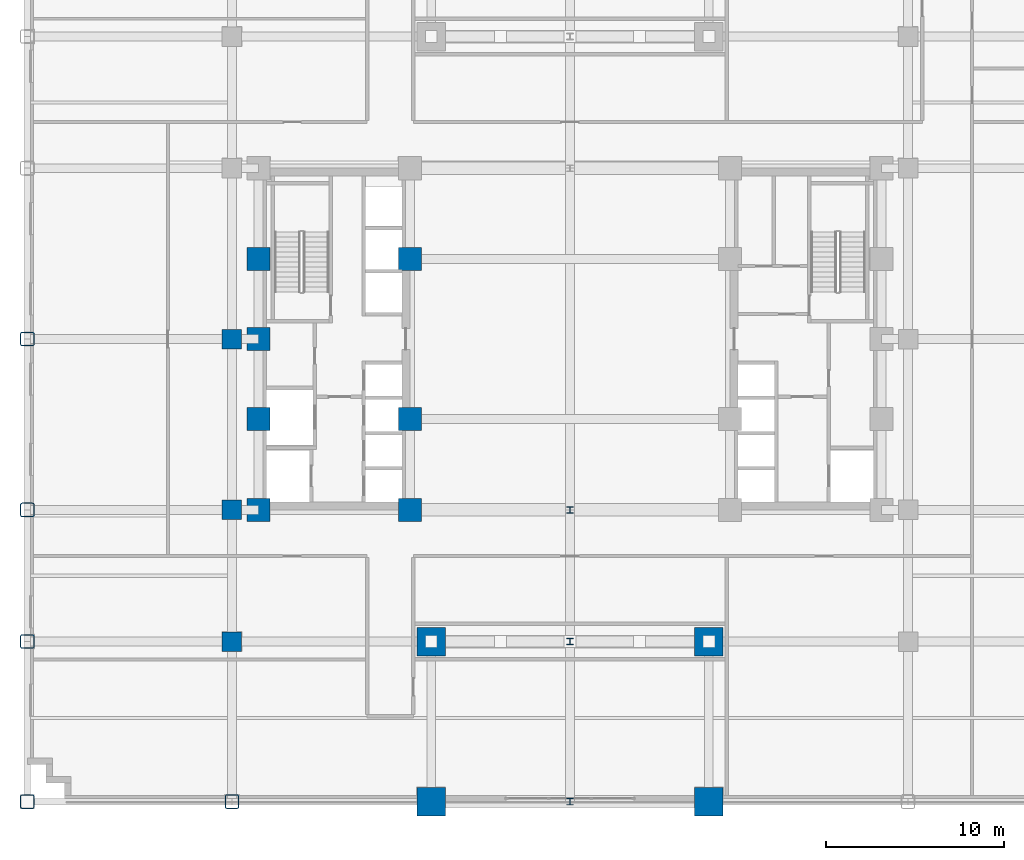
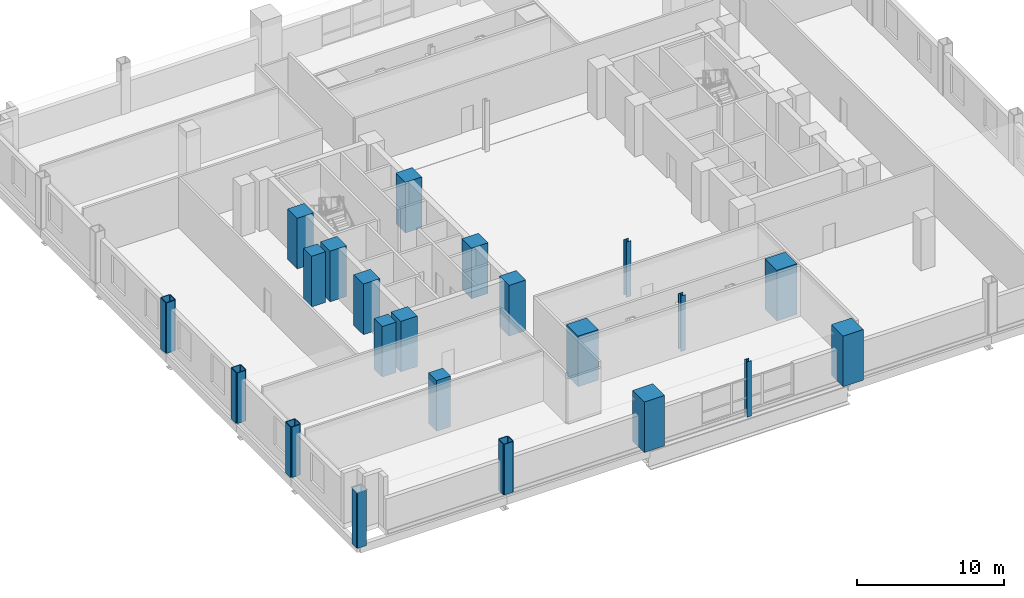
# One storey, part 1 of 17: 22 columns.
"""IFC4 building model written with IfcOpenShell, lengths in metres."""

from ifc_helpers import new_model, si_unit, direction, frame, origin, origin_2d, place, context, subcontext, project, spatial, rectangle, hollow_rectangle, i_section, extrude, material, material_profile, profile_set, type_object, element, save


model = new_model("IFC4")

# Units and contexts
model_context = context("Model", 3, precision=1e-05, world=origin(), true_north=direction((0.0, 1.0)))
body_context = subcontext(model_context, "Body", "Model", "MODEL_VIEW")
ifc_project = project(units=[si_unit("LENGTHUNIT", "METRE"), si_unit("AREAUNIT", "SQUARE_METRE"), si_unit("VOLUMEUNIT", "CUBIC_METRE"), si_unit("PLANEANGLEUNIT", "RADIAN"), si_unit("MASSUNIT", "GRAM", prefix="KILO")], contexts=[model_context])

# Site, building, storey
site_placement = place(None, origin())
site = spatial("IfcSite", under=ifc_project, at=site_placement, CompositionType="ELEMENT")
building_placement = place(site_placement, origin())
building = spatial("IfcBuilding", under=site, at=building_placement, Name="Nuvemarco Arch Tower", CompositionType="ELEMENT")
storey_placement = place(building_placement, frame((0.0, 0.0, 18.39990234375)))
storey = spatial("IfcBuildingStorey", under=building, at=storey_placement, Name="L04", CompositionType="ELEMENT", Elevation=18.39990234375)

# Columns
ifc_material_1 = material(Name="Concrete C60/75", Category="concrete")
ifc_material_profile_1 = material_profile(ifc_material_1, rectangle(XDim=1.10009765625, YDim=1.10009765625, at=origin_2d()), Name="RC-COL-1100x1100")
ifc_profile_set_1 = profile_set([ifc_material_profile_1], Name="Concrete C60/75")
column_type_1 = type_object("IfcColumnType", Name="COL-CORE-1100", PredefinedType="COLUMN", material=ifc_profile_set_1)
for number, where, z_axis, x_axis, name in (
    (1, (-19.0, -17.0, 0.0), (0.0, 0.0, 1.0), (1.0, 0.0, 0.0), "L04 column CP_-19.0_-17.0"),
    (2, (-19.0, -9.60009765625, 0.0), (0.0, 0.0, 1.0), (1.0, 0.0, 0.0), "L04 column CP_-19.0_-9.6"),
    (3, (-19.0, 0.0, 0.0), (0.0, 0.0, 1.0), (1.0, 0.0, 0.0), "L04 column CP_-19.0_+0.0"),
):
    element("IfcColumn", number, at=place(storey_placement, frame(where, z_axis=z_axis, x_axis=x_axis)), inside=storey, type_object=column_type_1, Name=name, PredefinedType="COLUMN", context=body_context, shape_type="SweptSolid", body=[
        extrude(rectangle(XDim=1.10009765625, YDim=1.10009765625, at=origin_2d()), origin(), (0.0, 0.0, 1.0), 4.2001953125),
    ])
ifc_material_profile_2 = material_profile(ifc_material_1, rectangle(XDim=1.300048828125, YDim=1.300048828125, at=origin_2d()), Name="RC-COL-1300x1300")
ifc_profile_set_2 = profile_set([ifc_material_profile_2], Name="Concrete C60/75")
column_type_2 = type_object("IfcColumnType", Name="COL-CORE-1300", PredefinedType="COLUMN", material=ifc_profile_set_2)
for number, where, z_axis, x_axis, name in (
    (4, (-17.5, -9.60009765625, 0.0), (0.0, 0.0, 1.0), (1.0, 0.0, 0.0), "L04 column CC_-17.5_-9.6"),
    (5, (-17.5, -4.5, 0.0), (0.0, 0.0, 1.0), (1.0, 0.0, 0.0), "L04 column CC_-17.5_-4.5"),
    (6, (-17.5, 4.5, 0.0), (0.0, 0.0, 1.0), (1.0, 0.0, 0.0), "L04 column CC_-17.5_+4.5"),
    (7, (-9.0, -9.60009765625, 0.0), (0.0, 0.0, 1.0), (1.0, 0.0, 0.0), "L04 column CC_-9.0_-9.6"),
    (8, (-9.0, -4.5, 0.0), (0.0, 0.0, 1.0), (1.0, 0.0, 0.0), "L04 column CC_-9.0_-4.5"),
    (9, (-9.0, 4.5, 0.0), (0.0, 0.0, 1.0), (1.0, 0.0, 0.0), "L04 column CC_-9.0_+4.5"),
    (10, (-17.5, 0.0, 0.0), (0.0, 0.0, 1.0), (1.0, 0.0, 0.0), "L04 column CC_-17.5_+0.0"),
):
    element("IfcColumn", number, at=place(storey_placement, frame(where, z_axis=z_axis, x_axis=x_axis)), inside=storey, type_object=column_type_2, Name=name, PredefinedType="COLUMN", context=body_context, shape_type="SweptSolid", body=[
        extrude(rectangle(XDim=1.300048828125, YDim=1.300048828125, at=origin_2d()), origin(), (0.0, 0.0, 1.0), 4.2001953125),
    ])
ifc_material_2 = material(Name="Steel S460", Category="steel")
ifc_material_profile_3 = material_profile(ifc_material_2, hollow_rectangle(XDim=0.800048828125, YDim=0.800048828125, WallThickness=0.054931640625, InnerFilletRadius=0.054931640625, OuterFilletRadius=0.110107421875, at=origin_2d()), Name="SHS800x800x55")
ifc_profile_set_3 = profile_set([ifc_material_profile_3], Name="Steel S460")
column_type_3 = type_object("IfcColumnType", Name="COL-EXO-800", PredefinedType="COLUMN", material=ifc_profile_set_3)
column_1_placement = place(storey_placement, frame((-30.5, -26.0, -0.39990234375), z_axis=(0.0, 0.0, 1.0), x_axis=(1.0, 0.0, 0.0)))
element("IfcColumn", 11, at=column_1_placement, inside=storey, type_object=column_type_3, Name="L04 column CP_-30.5_-26.0", PredefinedType="COLUMN", context=body_context, shape_type="SweptSolid", body=[
    extrude(hollow_rectangle(XDim=0.800048828125, YDim=0.800048828125, WallThickness=0.054931640625, InnerFilletRadius=0.054931640625, OuterFilletRadius=0.110107421875, at=origin_2d()), origin(), (0.0, 0.0, 1.0), 4.60009765625),
])
for number, where, z_axis, x_axis, name in (
    (12, (-30.5, -17.0, 0.0), (0.0, 0.0, 1.0), (1.0, 0.0, 0.0), "L04 column CP_-30.5_-17.0"),
    (13, (-30.5, -9.60009765625, 0.0), (0.0, 0.0, 1.0), (1.0, 0.0, 0.0), "L04 column CP_-30.5_-9.6"),
    (14, (-30.5, 0.0, 0.0), (0.0, 0.0, 1.0), (1.0, 0.0, 0.0), "L04 column CP_-30.5_+0.0"),
    (15, (-19.0, -26.0, 0.0), (0.0, 0.0, 1.0), (1.0, 0.0, 0.0), "L04 column CP_-19.0_-26.0"),
):
    element("IfcColumn", number, at=place(storey_placement, frame(where, z_axis=z_axis, x_axis=x_axis)), inside=storey, type_object=column_type_3, Name=name, PredefinedType="COLUMN", context=body_context, shape_type="SweptSolid", body=[
        extrude(hollow_rectangle(XDim=0.800048828125, YDim=0.800048828125, WallThickness=0.054931640625, InnerFilletRadius=0.054931640625, OuterFilletRadius=0.110107421875, at=origin_2d()), origin(), (0.0, 0.0, 1.0), 4.2001953125),
    ])
ifc_material_profile_4 = material_profile(ifc_material_1, rectangle(XDim=1.60009765625, YDim=1.60009765625, at=origin_2d()), Name="RC-COL-1600x1600")
ifc_profile_set_4 = profile_set([ifc_material_profile_4], Name="Concrete C60/75")
column_type_4 = type_object("IfcColumnType", Name="COL-MEGA-1600", PredefinedType="COLUMN", material=ifc_profile_set_4)
for number, where, z_axis, x_axis, name in (
    (16, (-7.800048828125, -26.0, 0.0), (0.0, 0.0, 1.0), (1.0, 0.0, 0.0), "L04 column CM_-7.8_-26.0"),
    (17, (-7.800048828125, -17.0, 0.0), (0.0, 0.0, 1.0), (1.0, 0.0, 0.0), "L04 column CM_-7.8_-17.0"),
    (18, (7.800048828125, -26.0, 0.0), (0.0, 0.0, 1.0), (1.0, 0.0, 0.0), "L04 column CM_+7.8_-26.0"),
    (19, (7.800048828125, -17.0, 0.0), (0.0, 0.0, 1.0), (1.0, 0.0, 0.0), "L04 column CM_+7.8_-17.0"),
):
    element("IfcColumn", number, at=place(storey_placement, frame(where, z_axis=z_axis, x_axis=x_axis)), inside=storey, type_object=column_type_4, Name=name, PredefinedType="COLUMN", context=body_context, shape_type="SweptSolid", body=[
        extrude(rectangle(XDim=1.60009765625, YDim=1.60009765625, at=origin_2d()), origin(), (0.0, 0.0, 1.0), 4.2001953125),
    ])
ifc_material_3 = material(Name="Steel S355", Category="steel")
ifc_material_profile_5 = material_profile(ifc_material_3, i_section(OverallWidth=0.360107421875, OverallDepth=0.360107421875, WebThickness=0.0205078125, FlangeThickness=0.0205078125, FilletRadius=0.01806640625, at=origin_2d()), Name="HP360x174")
ifc_profile_set_5 = profile_set([ifc_material_profile_5], Name="Steel S355")
column_type_5 = type_object("IfcColumnType", Name="COL-STL-HP360", PredefinedType="COLUMN", material=ifc_profile_set_5)
for number, where, z_axis, x_axis, name in (
    (20, (0.0, -17.0, -0.39990234375), (0.0, 0.0, 1.0), (1.0, 0.0, 0.0), "L04 column CB_0.0_-17.0"),
    (21, (0.0, -9.60009765625, -0.39990234375), (0.0, 0.0, 1.0), (1.0, 0.0, 0.0), "L04 column CB_0.0_-9.6"),
):
    element("IfcColumn", number, at=place(storey_placement, frame(where, z_axis=z_axis, x_axis=x_axis)), inside=storey, type_object=column_type_5, Name=name, PredefinedType="COLUMN", context=body_context, shape_type="SweptSolid", body=[
        extrude(i_section(OverallWidth=0.360107421875, OverallDepth=0.360107421875, WebThickness=0.0205078125, FlangeThickness=0.0205078125, FilletRadius=0.01806640625, at=origin_2d()), origin(), (0.0, 0.0, 1.0), 4.60009765625),
    ])
ifc_material_profile_6 = material_profile(ifc_material_3, i_section(OverallWidth=0.360107421875, OverallDepth=0.360107421875, WebThickness=0.0205078125, FlangeThickness=0.0205078125, FilletRadius=0.01806640625, at=origin_2d()), Name="HP360x174")
ifc_profile_set_6 = profile_set([ifc_material_profile_6], Name="Steel S355")
column_type_6 = type_object("IfcColumnType", Name="COL-STL-HP360-EXT", PredefinedType="COLUMN", material=ifc_profile_set_6)
column_2_placement = place(storey_placement, frame((0.0, -26.0, -0.39990234375), z_axis=(0.0, 0.0, 1.0), x_axis=(1.0, 0.0, 0.0)))
element("IfcColumn", 22, at=column_2_placement, inside=storey, type_object=column_type_6, Name="L04 column CB_0.0_-26.0", PredefinedType="COLUMN", context=body_context, shape_type="SweptSolid", body=[
    extrude(i_section(OverallWidth=0.360107421875, OverallDepth=0.360107421875, WebThickness=0.0205078125, FlangeThickness=0.0205078125, FilletRadius=0.01806640625, at=origin_2d()), origin(), (0.0, 0.0, 1.0), 4.60009765625),
])

save(model, "model.ifc")
